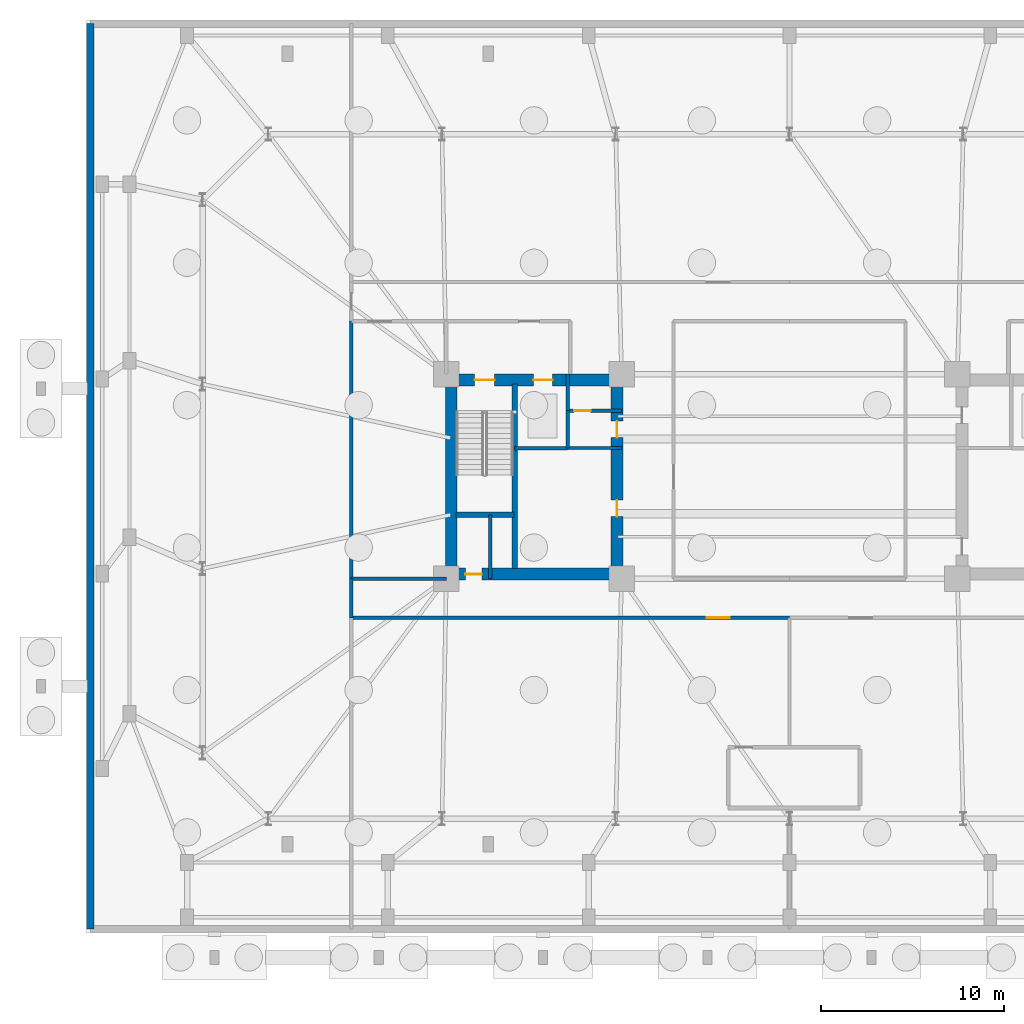
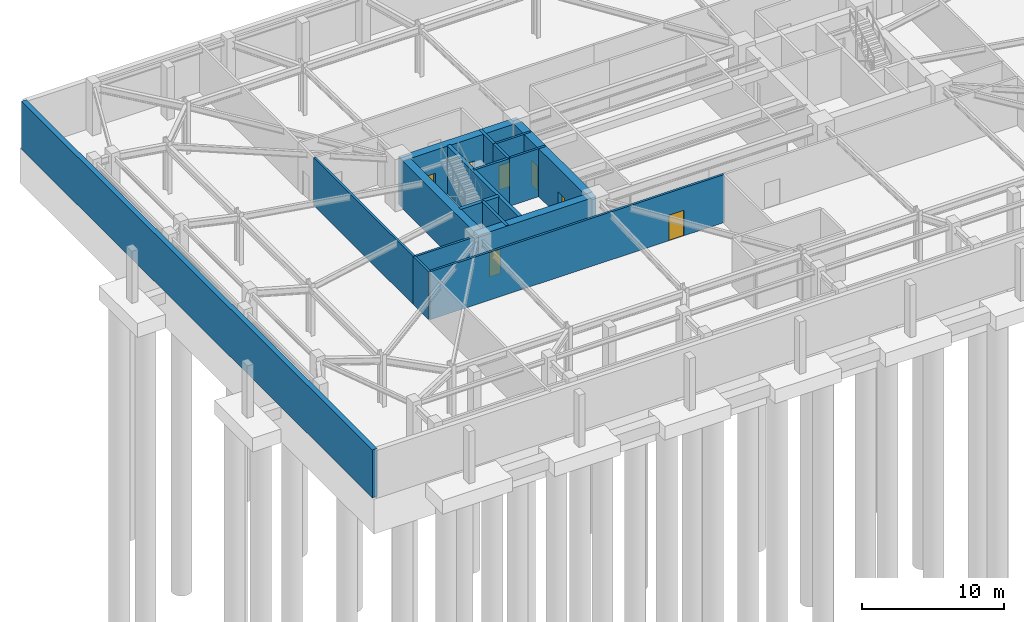
# One storey, part 8 of 15: 17 walls, 7 doors, 7 openings.
"""IFC4 building model written with IfcOpenShell, lengths in metres."""

from ifc_helpers import new_model, si_unit, direction, frame, frame_2d, origin, place, context, subcontext, project, spatial, rectangle, extrude, material, layer, layer_set, type_object, element, fill, save


model = new_model("IFC4")

# Units and contexts
model_context = context("Model", 3, precision=1e-05, world=origin(), true_north=direction((0.0, 1.0)))
body_context = subcontext(model_context, "Body", "Model", "MODEL_VIEW")
ifc_project = project(units=[si_unit("LENGTHUNIT", "METRE"), si_unit("AREAUNIT", "SQUARE_METRE"), si_unit("VOLUMEUNIT", "CUBIC_METRE"), si_unit("PLANEANGLEUNIT", "RADIAN"), si_unit("MASSUNIT", "GRAM", prefix="KILO")], contexts=[model_context])

# Site, building, storey
site_placement = place(None, origin())
site = spatial("IfcSite", under=ifc_project, at=site_placement, CompositionType="ELEMENT")
building_placement = place(site_placement, origin())
building = spatial("IfcBuilding", under=site, at=building_placement, Name="Qobustan Lattice House", CompositionType="ELEMENT")
storey_placement = place(building_placement, frame((0.0, 0.0, -9.0)))
storey = spatial("IfcBuildingStorey", under=building, at=storey_placement, Name="B02", CompositionType="ELEMENT", Elevation=-9.0)

# Wall, openings, doors
ifc_material_1 = material(Name="Concrete C60/75", Category="concrete")
ifc_layer_1 = layer(ifc_material_1, 0.639892578125)
ifc_layer_set_1 = layer_set([ifc_layer_1], Name="Concrete C60/75")
wall_type_1 = type_object("IfcWallType", Name="WAL-CORE-640", PredefinedType="SHEAR", material=ifc_layer_set_1)
wall_1_placement = place(storey_placement, frame((-18.800048828125, 5.280029296875, 0.0), z_axis=(0.0, 0.0, 1.0), x_axis=(1.0, 0.0, 0.0)))
wall_1 = element("IfcWall", 1, at=wall_1_placement, inside=storey, type_object=wall_type_1, Name="B02 split-core shear wall CW-N", PredefinedType="SHEAR", context=body_context, shape_type="SweptSolid", body=[
    extrude(rectangle(XDim=9.60009765625, YDim=0.639892578125, at=frame_2d((4.800048828125, 0.0))), origin(), (0.0, 0.0, 1.0), 4.139892578125),
])
opening_1_placement = place(wall_1_placement, frame((1.550048828125, 0.0, 0.0)))
opening_1 = element("IfcOpeningElement", 2, at=opening_1_placement, cuts=wall_1, Name="Opening SD-01", PredefinedType="OPENING", context=body_context, shape_type="SweptSolid", body=[
    extrude(rectangle(XDim=1.10009765625, YDim=2.14990234375, at=frame_2d((0.550048828125, 1.074951171875))), frame((0.0, 0.329833984375, 0.0), z_axis=(0.0, -1.0, 0.0), x_axis=(1.0, 0.0, 0.0)), (0.0, 0.0, 1.0), 0.659912109375),
])
opening_2_placement = place(wall_1_placement, frame((4.77490234375, 0.0, 0.0)))
opening_2 = element("IfcOpeningElement", 3, at=opening_2_placement, cuts=wall_1, Name="Opening LD-01", PredefinedType="OPENING", context=body_context, shape_type="SweptSolid", body=[
    extrude(rectangle(XDim=1.050048828125, YDim=2.10009765625, at=frame_2d((0.52490234375, 1.050048828125))), frame((0.0, 0.329833984375, 0.0), z_axis=(0.0, -1.0, 0.0), x_axis=(1.0, 0.0, 0.0)), (0.0, 0.0, 1.0), 0.659912109375),
])
ifc_material_2 = material(Name="Persian walnut timber and steel frame door", Category="steel")
door_type_1 = type_object("IfcDoorType", Name="DOR-LIFT-LD-1050x2100", OperationType="NOTDEFINED", PredefinedType="DOOR", material=ifc_material_2)
door_1_placement = place(opening_2_placement, origin())
door_1 = element("IfcDoor", 4, at=door_1_placement, inside=storey, type_object=door_type_1, Name="B02 firefighting lift FF-W landing door", OperationType="DOUBLE_DOOR_SLIDING", OverallHeight=2.10009765625, OverallWidth=1.050048828125, PredefinedType="DOOR", context=body_context, shape_type="SweptSolid", body=[
    extrude(rectangle(XDim=1.050048828125, YDim=2.10009765625, at=frame_2d((0.52490234375, 1.050048828125))), frame((0.0, 0.02490234375, 0.0), z_axis=(0.0, -1.0, 0.0), x_axis=(1.0, 0.0, 0.0)), (0.0, 0.0, 1.0), 0.050048828125),
])
fill(opening_2, door_1)
ifc_material_3 = material(Name="Persian walnut timber and steel frame door", Category="steel")
door_type_2 = type_object("IfcDoorType", Name="DOR-STAIR-FD-1100x2150", OperationType="NOTDEFINED", PredefinedType="DOOR", material=ifc_material_3)
door_2_placement = place(opening_1_placement, origin())
door_2 = element("IfcDoor", 5, at=door_2_placement, inside=storey, type_object=door_type_2, Name="B02 exit stair ST-W1 fire door", OperationType="SINGLE_SWING_RIGHT", OverallHeight=2.14990234375, OverallWidth=1.10009765625, PredefinedType="DOOR", context=body_context, shape_type="SweptSolid", body=[
    extrude(rectangle(XDim=1.10009765625, YDim=2.14990234375, at=frame_2d((0.550048828125, 1.074951171875))), frame((0.0, 0.02490234375, 0.0), z_axis=(0.0, -1.0, 0.0), x_axis=(1.0, 0.0, 0.0)), (0.0, 0.0, 1.0), 0.050048828125),
])
fill(opening_1, door_2)

# Wall, opening, door
wall_2_placement = place(storey_placement, frame((-18.800048828125, -5.35009765625, 0.0), z_axis=(0.0, 0.0, 1.0), x_axis=(1.0, 0.0, 0.0)))
wall_2 = element("IfcWall", 6, at=wall_2_placement, inside=storey, type_object=wall_type_1, Name="B02 split-core shear wall CW-S", PredefinedType="SHEAR", context=body_context, shape_type="SweptSolid", body=[
    extrude(rectangle(XDim=9.60009765625, YDim=0.639892578125, at=frame_2d((4.800048828125, 0.0))), origin(), (0.0, 0.0, 1.0), 4.139892578125),
])
opening_3_placement = place(wall_2_placement, frame((1.050048828125, 0.0, 0.0)))
opening_3 = element("IfcOpeningElement", 7, at=opening_3_placement, cuts=wall_2, Name="Opening RD-01", PredefinedType="OPENING", context=body_context, shape_type="SweptSolid", body=[
    extrude(rectangle(XDim=0.89990234375, YDim=2.10009765625, at=frame_2d((0.449951171875, 1.050048828125))), frame((0.0, 0.329833984375, 0.0), z_axis=(0.0, -1.0, 0.0), x_axis=(1.0, 0.0, 0.0)), (0.0, 0.0, 1.0), 0.659912109375),
])
ifc_material_4 = material(Name="Persian walnut timber and steel frame door", Category="steel")
door_type_3 = type_object("IfcDoorType", Name="DOR-RISER-FD-900x2100", OperationType="NOTDEFINED", PredefinedType="DOOR", material=ifc_material_4)
door_3_placement = place(opening_3_placement, origin())
door_3 = element("IfcDoor", 8, at=door_3_placement, inside=storey, type_object=door_type_3, Name="B02 core service riser access door W", OperationType="SINGLE_SWING_RIGHT", OverallHeight=2.10009765625, OverallWidth=0.89990234375, PredefinedType="DOOR", context=body_context, shape_type="SweptSolid", body=[
    extrude(rectangle(XDim=0.89990234375, YDim=2.10009765625, at=frame_2d((0.449951171875, 1.050048828125))), frame((0.0, 0.02490234375, 0.0), z_axis=(0.0, -1.0, 0.0), x_axis=(1.0, 0.0, 0.0)), (0.0, 0.0, 1.0), 0.050048828125),
])
fill(opening_3, door_3)

# Wall
wall_3_placement = place(storey_placement, frame((-18.530029296875, -5.050048828125, 0.0), z_axis=(0.0, 0.0, 1.0), x_axis=(0.0, 1.0, 0.0)))
element("IfcWall", 9, at=wall_3_placement, inside=storey, type_object=wall_type_1, Name="B02 split-core shear wall CW-W", PredefinedType="SHEAR", context=body_context, shape_type="SweptSolid", body=[
    extrude(rectangle(XDim=10.10009765625, YDim=0.639892578125, at=frame_2d((5.050048828125, 0.0))), origin(), (0.0, 0.0, 1.0), 4.139892578125),
])

# Wall, openings, doors
wall_4_placement = place(storey_placement, frame((-9.449951171875, -5.050048828125, 0.0), z_axis=(0.0, 0.0, 1.0), x_axis=(0.0, 1.0, 0.0)))
wall_4 = element("IfcWall", 10, at=wall_4_placement, inside=storey, type_object=wall_type_1, Name="B02 split-core shear wall CW-E", PredefinedType="SHEAR", context=body_context, shape_type="SweptSolid", body=[
    extrude(rectangle(XDim=10.10009765625, YDim=0.639892578125, at=frame_2d((5.050048828125, 0.0))), origin(), (0.0, 0.0, 1.0), 4.139892578125),
])
opening_4_placement = place(wall_4_placement, frame((7.175048828125, 0.0, 0.0)))
opening_4 = element("IfcOpeningElement", 11, at=opening_4_placement, cuts=wall_4, Name="Opening RD-01", PredefinedType="OPENING", context=body_context, shape_type="SweptSolid", body=[
    extrude(rectangle(XDim=0.89990234375, YDim=2.10009765625, at=frame_2d((0.449951171875, 1.050048828125))), frame((0.0, 0.329833984375, 0.0), z_axis=(0.0, -1.0, 0.0), x_axis=(1.0, 0.0, 0.0)), (0.0, 0.0, 1.0), 0.659912109375),
])
opening_5_placement = place(wall_4_placement, frame((2.85009765625, 0.0, 0.0)))
opening_5 = element("IfcOpeningElement", 12, at=opening_5_placement, cuts=wall_4, Name="Opening RD-01", PredefinedType="OPENING", context=body_context, shape_type="SweptSolid", body=[
    extrude(rectangle(XDim=0.89990234375, YDim=2.10009765625, at=frame_2d((0.449951171875, 1.050048828125))), frame((0.0, 0.329833984375, 0.0), z_axis=(0.0, -1.0, 0.0), x_axis=(1.0, 0.0, 0.0)), (0.0, 0.0, 1.0), 0.659912109375),
])
door_4_placement = place(opening_4_placement, origin())
door_4 = element("IfcDoor", 13, at=door_4_placement, inside=storey, type_object=door_type_3, Name="B02 Core utility lobby fire door", OperationType="SINGLE_SWING_LEFT", OverallHeight=2.10009765625, OverallWidth=0.89990234375, PredefinedType="DOOR", context=body_context, shape_type="SweptSolid", body=[
    extrude(rectangle(XDim=0.89990234375, YDim=2.10009765625, at=frame_2d((0.449951171875, 1.050048828125))), frame((0.0, 0.02490234375, 0.0), z_axis=(0.0, -1.0, 0.0), x_axis=(1.0, 0.0, 0.0)), (0.0, 0.0, 1.0), 0.050048828125),
])
fill(opening_4, door_4)
door_5_placement = place(opening_5_placement, origin())
door_5 = element("IfcDoor", 14, at=door_5_placement, inside=storey, type_object=door_type_3, Name="B02 Substructure meter plant room fire door", OperationType="SINGLE_SWING_RIGHT", OverallHeight=2.10009765625, OverallWidth=0.89990234375, PredefinedType="DOOR", context=body_context, shape_type="SweptSolid", body=[
    extrude(rectangle(XDim=0.89990234375, YDim=2.10009765625, at=frame_2d((0.449951171875, 1.050048828125))), frame((0.0, 0.02490234375, 0.0), z_axis=(0.0, -1.0, 0.0), x_axis=(1.0, 0.0, 0.0)), (0.0, 0.0, 1.0), 0.050048828125),
])
fill(opening_5, door_5)

# Walls
ifc_material_5 = material(Name="Concrete C50/60", Category="concrete")
ifc_layer_2 = layer(ifc_material_5, 0.280029296875)
ifc_layer_set_2 = layer_set([ifc_layer_2], Name="Concrete C50/60")
wall_type_2 = type_object("IfcWallType", Name="WAL-CORE-SPINE-280", PredefinedType="SHEAR", material=ifc_layer_set_2)
wall_5_placement = place(storey_placement, frame((-15.050048828125, -5.050048828125, 0.0), z_axis=(0.0, 0.0, 1.0), x_axis=(0.0, 1.0, 0.0)))
element("IfcWall", 15, at=wall_5_placement, inside=storey, type_object=wall_type_2, Name="B02 split-core shear wall CW-M", PredefinedType="SHEAR", context=body_context, shape_type="SweptSolid", body=[
    extrude(rectangle(XDim=10.10009765625, YDim=0.300048828125, at=frame_2d((5.050048828125, 0.0))), origin(), (0.0, 0.0, 1.0), 4.139892578125),
])
wall_6_placement = place(storey_placement, frame((-18.280029296875, -2.110107421875, 0.0), z_axis=(0.0, 0.0, 1.0), x_axis=(1.0, 0.0, 0.0)))
element("IfcWall", 16, at=wall_6_placement, inside=storey, type_object=wall_type_2, Name="B02 split-core shear wall CW-ST", PredefinedType="SHEAR", context=body_context, shape_type="SweptSolid", body=[
    extrude(rectangle(XDim=3.179931640625, YDim=0.300048828125, at=frame_2d((1.58984375, 0.0))), origin(), (0.0, 0.0, 1.0), 4.139892578125),
])

# Wall, opening, door
ifc_material_6 = material(Name="Gypsum fireboard acoustic partition", Category="gypsum")
ifc_layer_3 = layer(ifc_material_6, 0.179931640625)
ifc_layer_set_3 = layer_set([ifc_layer_3], Name="Gypsum fireboard acoustic partition")
wall_type_3 = type_object("IfcWallType", Name="WAL-FIRE-180", PredefinedType="PARTITIONING", material=ifc_layer_set_3)
wall_7_placement = place(storey_placement, frame((-9.199951171875, 3.60009765625, 0.0), z_axis=(0.0, 0.0, 1.0), x_axis=(-1.0, 0.0, 0.0)))
wall_7 = element("IfcWall", 17, at=wall_7_placement, inside=storey, type_object=wall_type_3, Name="B02 interior partition 7", PredefinedType="PARTITIONING", context=body_context, shape_type="SweptSolid", body=[
    extrude(rectangle(XDim=2.949951171875, YDim=0.179931640625, at=frame_2d((1.47509765625, 0.0))), origin(), (0.0, 0.0, 1.0), 4.139892578125),
])
opening_6_placement = place(wall_7_placement, frame((1.699951171875, 0.0, 0.0)))
opening_6 = element("IfcOpeningElement", 18, at=opening_6_placement, cuts=wall_7, Name="Opening RD-01", PredefinedType="OPENING", context=body_context, shape_type="SweptSolid", body=[
    extrude(rectangle(XDim=0.89990234375, YDim=2.10009765625, at=frame_2d((0.449951171875, 1.050048828125))), frame((0.0, 0.099853515625, 0.0), z_axis=(0.0, -1.0, 0.0), x_axis=(1.0, 0.0, 0.0)), (0.0, 0.0, 1.0), 0.199951171875),
])
door_6_placement = place(opening_6_placement, origin())
door_6 = element("IfcDoor", 19, at=door_6_placement, inside=storey, type_object=door_type_3, Name="B02 Core utility lobby to Cleaner store door", OperationType="SINGLE_SWING_RIGHT", OverallHeight=2.10009765625, OverallWidth=0.89990234375, PredefinedType="DOOR", context=body_context, shape_type="SweptSolid", body=[
    extrude(rectangle(XDim=0.89990234375, YDim=2.10009765625, at=frame_2d((0.449951171875, 1.050048828125))), frame((0.0, 0.02490234375, 0.0), z_axis=(0.0, -1.0, 0.0), x_axis=(1.0, 0.0, 0.0)), (0.0, 0.0, 1.0), 0.050048828125),
])
fill(opening_6, door_6)

# Walls
wall_8_placement = place(storey_placement, frame((-12.14990234375, 1.550048828125, 0.0), z_axis=(0.0, 0.0, 1.0), x_axis=(1.0, 0.0, 0.0)))
element("IfcWall", 20, at=wall_8_placement, inside=storey, type_object=wall_type_3, Name="B02 interior partition 8", PredefinedType="PARTITIONING", context=body_context, shape_type="SweptSolid", body=[
    extrude(rectangle(XDim=2.949951171875, YDim=0.179931640625, at=frame_2d((1.47509765625, 0.0))), origin(), (0.0, 0.0, 1.0), 4.139892578125),
])
wall_9_placement = place(storey_placement, frame((-24.0, -7.75, 0.0), z_axis=(0.0, 0.0, 1.0), x_axis=(0.0, 1.0, 0.0)))
element("IfcWall", 21, at=wall_9_placement, inside=storey, type_object=wall_type_3, Name="B02 interior partition 27", PredefinedType="PARTITIONING", context=body_context, shape_type="SweptSolid", body=[
    extrude(rectangle(XDim=2.14990234375, YDim=0.179931640625, at=frame_2d((1.074951171875, 0.0))), origin(), (0.0, 0.0, 1.0), 4.139892578125),
])

# Wall, opening, door
wall_10_placement = place(storey_placement, frame((0.0, -7.75, 0.0), z_axis=(0.0, 0.0, 1.0), x_axis=(-1.0, 0.0, 0.0)))
wall_10 = element("IfcWall", 22, at=wall_10_placement, inside=storey, type_object=wall_type_3, Name="B02 interior partition 28", PredefinedType="PARTITIONING", context=body_context, shape_type="SweptSolid", body=[
    extrude(rectangle(XDim=24.0, YDim=0.179931640625, at=frame_2d((12.0, 0.0))), origin(), (0.0, 0.0, 1.0), 4.139892578125),
])
opening_7_placement = place(wall_10_placement, frame((3.27880859375, 0.0, 0.0)))
opening_7 = element("IfcOpeningElement", 23, at=opening_7_placement, cuts=wall_10, Name="Opening FD-03", PredefinedType="OPENING", context=body_context, shape_type="SweptSolid", body=[
    extrude(rectangle(XDim=1.25, YDim=2.199951171875, at=frame_2d((0.625, 1.10009765625))), frame((0.0, 0.099853515625, 0.0), z_axis=(0.0, -1.0, 0.0), x_axis=(1.0, 0.0, 0.0)), (0.0, 0.0, 1.0), 0.199951171875),
])
ifc_material_7 = material(Name="Persian walnut timber and steel frame door", Category="steel")
door_type_4 = type_object("IfcDoorType", Name="DOR-PLANT-1250x2200", OperationType="NOTDEFINED", PredefinedType="DOOR", material=ifc_material_7)
door_7_placement = place(opening_7_placement, origin())
door_7 = element("IfcDoor", 24, at=door_7_placement, inside=storey, type_object=door_type_4, Name="B02 South-west substructure corridor to Sprinkler and booster pump plant door", OperationType="SINGLE_SWING_LEFT", OverallHeight=2.199951171875, OverallWidth=1.25, PredefinedType="DOOR", context=body_context, shape_type="SweptSolid", body=[
    extrude(rectangle(XDim=1.25, YDim=2.199951171875, at=frame_2d((0.625, 1.10009765625))), frame((0.0, 0.02490234375, 0.0), z_axis=(0.0, -1.0, 0.0), x_axis=(1.0, 0.0, 0.0)), (0.0, 0.0, 1.0), 0.050048828125),
])
fill(opening_7, door_7)

# Walls
wall_11_placement = place(storey_placement, frame((-24.0, -5.60009765625, 0.0), z_axis=(0.0, 0.0, 1.0), x_axis=(1.0, 0.0, 0.0)))
element("IfcWall", 25, at=wall_11_placement, inside=storey, type_object=wall_type_3, Name="B02 interior partition 29", PredefinedType="PARTITIONING", context=body_context, shape_type="SweptSolid", body=[
    extrude(rectangle(XDim=5.199951171875, YDim=0.179931640625, at=frame_2d((2.60009765625, 0.0))), origin(), (0.0, 0.0, 1.0), 4.139892578125),
])
wall_12_placement = place(storey_placement, frame((-24.0, 8.5, 0.0), z_axis=(0.0, 0.0, 1.0), x_axis=(0.0, -1.0, 0.0)))
element("IfcWall", 26, at=wall_12_placement, inside=storey, type_object=wall_type_3, Name="B02 interior partition 39", PredefinedType="PARTITIONING", context=body_context, shape_type="SweptSolid", body=[
    extrude(rectangle(XDim=14.10009765625, YDim=0.179931640625, at=frame_2d((7.050048828125, 0.0))), origin(), (0.0, 0.0, 1.0), 4.139892578125),
])
ifc_material_8 = material(Name="Concrete C40/50", Category="concrete")
ifc_layer_4 = layer(ifc_material_8, 0.199951171875)
ifc_layer_set_4 = layer_set([ifc_layer_4], Name="Concrete C40/50")
wall_type_4 = type_object("IfcWallType", Name="WAL-SHAFT-200", PredefinedType="PARTITIONING", material=ifc_layer_set_4)
wall_13_placement = place(storey_placement, frame((-16.39990234375, -5.60009765625, 0.0), z_axis=(0.0, 0.0, 1.0), x_axis=(0.0, 1.0, 0.0)))
element("IfcWall", 27, at=wall_13_placement, inside=storey, type_object=wall_type_4, Name="B02 interior partition 1", PredefinedType="PARTITIONING", context=body_context, shape_type="SweptSolid", body=[
    extrude(rectangle(XDim=3.489990234375, YDim=0.199951171875, at=frame_2d((1.7451171875, 0.0))), origin(), (0.0, 0.0, 1.0), 4.139892578125),
])
wall_14_placement = place(storey_placement, frame((-12.14990234375, 1.550048828125, 0.0), z_axis=(0.0, 0.0, 1.0), x_axis=(0.0, 1.0, 0.0)))
element("IfcWall", 28, at=wall_14_placement, inside=storey, type_object=wall_type_4, Name="B02 interior partition 2", PredefinedType="PARTITIONING", context=body_context, shape_type="SweptSolid", body=[
    extrude(rectangle(XDim=2.050048828125, YDim=0.199951171875, at=frame_2d((1.02490234375, 0.0))), origin(), (0.0, 0.0, 1.0), 4.139892578125),
])
wall_15_placement = place(storey_placement, frame((-12.14990234375, 3.60009765625, 0.0), z_axis=(0.0, 0.0, 1.0), x_axis=(0.0, 1.0, 0.0)))
element("IfcWall", 29, at=wall_15_placement, inside=storey, type_object=wall_type_4, Name="B02 interior partition 3", PredefinedType="PARTITIONING", context=body_context, shape_type="SweptSolid", body=[
    extrude(rectangle(XDim=2.0, YDim=0.199951171875, at=frame_2d((1.0, 0.0))), origin(), (0.0, 0.0, 1.0), 4.139892578125),
])
wall_16_placement = place(storey_placement, frame((-15.050048828125, 1.550048828125, 0.0), z_axis=(0.0, 0.0, 1.0), x_axis=(1.0, 0.0, 0.0)))
element("IfcWall", 30, at=wall_16_placement, inside=storey, type_object=wall_type_4, Name="B02 interior partition 45", PredefinedType="PARTITIONING", context=body_context, shape_type="SweptSolid", body=[
    extrude(rectangle(XDim=2.900146484375, YDim=0.199951171875, at=frame_2d((1.4501953125, 0.0))), origin(), (0.0, 0.0, 1.0), 4.139892578125),
])
ifc_material_9 = material(Name="Concrete C50/60", Category="concrete")
ifc_layer_5 = layer(ifc_material_9, 0.39990234375)
ifc_layer_set_5 = layer_set([ifc_layer_5], Name="Concrete C50/60")
wall_type_5 = type_object("IfcWallType", Name="WAL-SUB-RET-400", PredefinedType="SOLIDWALL", material=ifc_layer_set_5)
wall_17_placement = place(storey_placement, frame((-38.300048828125, -24.800048828125, 0.0), z_axis=(0.0, 0.0, 1.0), x_axis=(0.0, 1.0, 0.0)))
element("IfcWall", 31, at=wall_17_placement, inside=storey, type_object=wall_type_5, Name="B02 substructure retaining wall 1", PredefinedType="SOLIDWALL", context=body_context, shape_type="SweptSolid", body=[
    extrude(rectangle(XDim=49.60009765625, YDim=0.39990234375, at=frame_2d((24.800048828125, 0.0))), origin(), (0.0, 0.0, 1.0), 4.139892578125),
])

save(model, "model.ifc")
